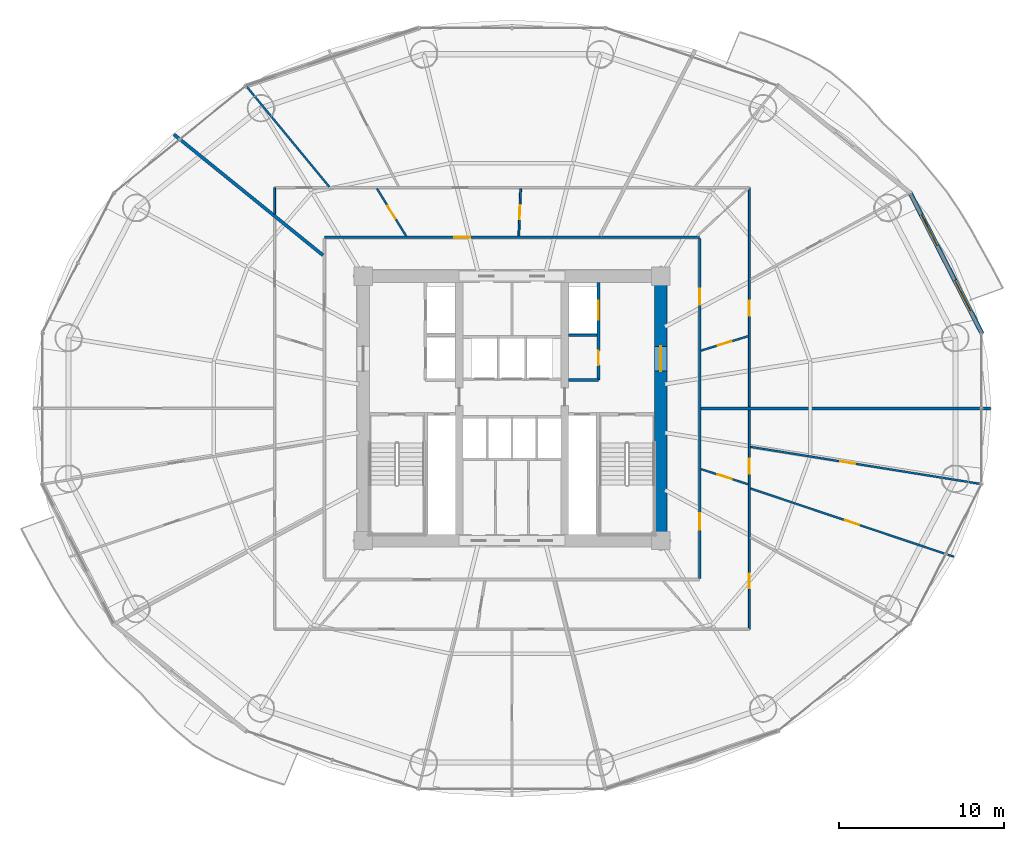
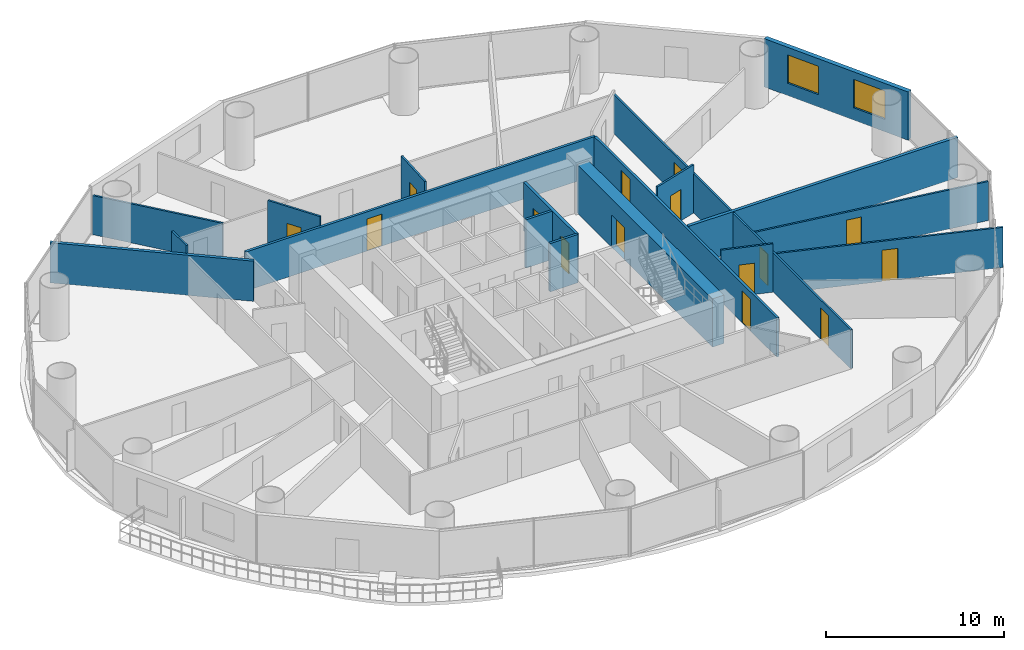
# One storey, part 24 of 29: 19 walls, 15 doors, 2 windows, 17 openings.
"""IFC4 building model written with IfcOpenShell, lengths in metres."""

from ifc_helpers import new_model, si_unit, direction, frame, frame_2d, origin, place, context, subcontext, project, spatial, rectangle, extrude, source, transform, mapped, material, layer, layer_set, type_object, element, fill, save


model = new_model("IFC4")

# Units and contexts
model_context = context("Model", 3, precision=1e-05, world=origin(), true_north=direction((-0.2419218956, 0.970295726276)))
body_context = subcontext(model_context, "Body", "Model", "MODEL_VIEW")
ifc_project = project(units=[si_unit("LENGTHUNIT", "METRE"), si_unit("AREAUNIT", "SQUARE_METRE"), si_unit("VOLUMEUNIT", "CUBIC_METRE"), si_unit("PLANEANGLEUNIT", "RADIAN"), si_unit("MASSUNIT", "GRAM", prefix="KILO")], contexts=[model_context])

# Site, building, storey
site_placement = place(None, origin())
site = spatial("IfcSite", under=ifc_project, at=site_placement, CompositionType="ELEMENT")
building_placement = place(site_placement, origin())
building = spatial("IfcBuilding", under=site, at=building_placement, Name="Cobrevalo Terracotta Tower", CompositionType="ELEMENT")
storey_placement = place(building_placement, frame((0.0, 0.0, 67.199951171875)))
storey = spatial("IfcBuildingStorey", under=building, at=storey_placement, Name="L17", CompositionType="ELEMENT", Elevation=67.199951171875)

# Wall, opening, door
ifc_material_1 = material(Name="Concrete C60", Category="concrete")
ifc_layer_1 = layer(ifc_material_1, 0.75)
ifc_layer_set_1 = layer_set([ifc_layer_1], Name="Concrete C60")
wall_type_1 = type_object("IfcWallType", Name="Core shear wall 750 mm Concrete C60", PredefinedType="SHEAR", material=ifc_layer_set_1)
wall_1_placement = place(storey_placement, frame((47.0, 19.175048828125, 0.0), z_axis=(0.0, 0.0, 1.0), x_axis=(0.0, 1.0, 0.0)))
wall_1 = element("IfcWall", 1, at=wall_1_placement, inside=storey, type_object=wall_type_1, Name="L17 east core shear wall", PredefinedType="SHEAR", context=body_context, shape_type="SweptSolid", body=[
    extrude(rectangle(XDim=15.25, YDim=0.75, at=frame_2d((7.625, 0.0))), origin(), (0.0, 0.0, 1.0), 3.320068359375),
])
opening_1_placement = place(wall_1_placement, frame((9.875, 0.0, 0.0)))
opening_1 = element("IfcOpeningElement", 2, at=opening_1_placement, cuts=wall_1, Name="Opening ID-14", PredefinedType="OPENING", context=body_context, shape_type="SweptSolid", body=[
    extrude(rectangle(XDim=1.5, YDim=2.199951171875, at=frame_2d((0.75, 1.10009765625))), frame((0.0, 0.385009765625, 0.0), z_axis=(0.0, -1.0, 0.0), x_axis=(1.0, 0.0, 0.0)), (0.0, 0.0, 1.0), 0.77001953125),
])
ifc_material_2 = material(Name="Galvanized fire-rated steel", Category="steel")
door_type_1 = type_object("IfcDoorType", Name="Core cross-lobby double fire door 1500x2200 EI 90", OperationType="NOTDEFINED", PredefinedType="DOOR", material=ifc_material_2)
shared_shape_1 = source(origin(), body_context, "Body", "SweptSolid", [
    extrude(rectangle(XDim=1.5, YDim=2.199951171875, at=frame_2d((0.75, 1.10009765625))), frame((0.0, 0.02490234375, 0.0), z_axis=(0.0, -1.0, 0.0), x_axis=(1.0, 0.0, 0.0)), (0.0, 0.0, 1.0), 0.050048828125),
])
door_1_placement = place(opening_1_placement, frame((1.5, 0.0, 0.0), z_axis=(0.0, 0.0, 1.0), x_axis=(-1.0, 0.0, 0.0)))
door_1 = element("IfcDoor", 3, at=door_1_placement, inside=storey, type_object=door_type_1, Name="L17 east firefighting lobby entrance door", OperationType="DOUBLE_DOOR_SINGLE_SWING", OverallHeight=2.199951171875, OverallWidth=1.5, PredefinedType="DOOR", context=body_context, shape_type="MappedRepresentation", body=[
    mapped(shared_shape_1, transform((0.0, 0.0, 0.0), scale=1.0)),
])
fill(opening_1, door_1)

# Walls
ifc_material_3 = material(Name="Gypsum board on steel stud", Category="steel")
ifc_layer_2 = layer(ifc_material_3, 0.159912109375)
ifc_layer_set_2 = layer_set([ifc_layer_2], Name="Gypsum board on steel stud")
wall_type_2 = type_object("IfcWallType", Name="Fire-rated corridor acoustic partition wall 160 mm", PredefinedType="PARTITIONING", material=ifc_layer_set_2)
wall_2_placement = place(storey_placement, frame((41.425048828125, 31.219970703125, 0.0), z_axis=(0.0, 0.0, 1.0), x_axis=(1.0, 0.0, 0.0)))
element("IfcWall", 4, at=wall_2_placement, inside=storey, type_object=wall_type_2, Name="L17 interior partition IW-L17-FF2-M", PredefinedType="PARTITIONING", context=body_context, shape_type="SweptSolid", body=[
    extrude(rectangle(XDim=1.71484375, YDim=0.159912109375, at=frame_2d((0.857421875, 0.0))), origin(), (0.0, 0.0, 1.0), 3.320068359375),
])
wall_3_placement = place(storey_placement, frame((41.425048828125, 28.52001953125, 0.0), z_axis=(0.0, 0.0, 1.0), x_axis=(1.0, 0.0, 0.0)))
element("IfcWall", 5, at=wall_3_placement, inside=storey, type_object=wall_type_2, Name="L17 interior partition IW-L17-FF2-S", PredefinedType="PARTITIONING", context=body_context, shape_type="SweptSolid", body=[
    extrude(rectangle(XDim=1.804931640625, YDim=0.159912109375, at=frame_2d((0.90234375, 0.0))), origin(), (0.0, 0.0, 1.0), 3.320068359375),
])

# Wall, opening, door
wall_4_placement = place(storey_placement, frame((26.64501953125, 37.155029296875, 0.0), z_axis=(0.0, 0.0, 1.0), x_axis=(1.0, 0.0, 0.0)))
wall_4 = element("IfcWall", 6, at=wall_4_placement, inside=storey, type_object=wall_type_2, Name="L17 interior partition IW-L17-COR-N", PredefinedType="PARTITIONING", context=body_context, shape_type="SweptSolid", body=[
    extrude(rectangle(XDim=22.7099609375, YDim=0.159912109375, at=frame_2d((11.35498046875, 0.0))), origin(), (0.0, 0.0, 1.0), 2.68798828125),
])
opening_2_placement = place(wall_4_placement, frame((7.859375, 0.0, 0.0)))
opening_2 = element("IfcOpeningElement", 7, at=opening_2_placement, cuts=wall_4, Name="Opening ID-05", PredefinedType="OPENING", context=body_context, shape_type="SweptSolid", body=[
    extrude(rectangle(XDim=0.97998046875, YDim=2.199951171875, at=frame_2d((0.489990234375, 1.10009765625))), frame((0.0, 0.08984375, 0.0), z_axis=(0.0, -1.0, 0.0), x_axis=(1.0, 0.0, 0.0)), (0.0, 0.0, 1.0), 0.179931640625),
])
ifc_material_4 = material(Name="Solid hardwood timber", Category="wood")
door_type_2 = type_object("IfcDoorType", Name="Residence entrance fire-rated acoustic timber door 980x2200 EI 60", OperationType="NOTDEFINED", PredefinedType="DOOR", material=ifc_material_4)
shared_shape_2 = source(origin(), body_context, "Body", "SweptSolid", [
    extrude(rectangle(XDim=0.97998046875, YDim=2.199951171875, at=frame_2d((0.489990234375, 1.10009765625))), frame((0.0, 0.02490234375, 0.0), z_axis=(0.0, -1.0, 0.0), x_axis=(1.0, 0.0, 0.0)), (0.0, 0.0, 1.0), 0.050048828125),
])
door_2_placement = place(opening_2_placement, origin())
door_2 = element("IfcDoor", 8, at=door_2_placement, inside=storey, type_object=door_type_2, Name="Flat L17B fire-rated apartment entrance door", OperationType="SINGLE_SWING_LEFT", OverallHeight=2.199951171875, OverallWidth=0.97998046875, PredefinedType="DOOR", context=body_context, shape_type="MappedRepresentation", body=[
    mapped(shared_shape_2, transform((0.0, 0.0, 0.0), scale=1.0)),
])
fill(opening_2, door_2)

# Wall, openings, doors
wall_5_placement = place(storey_placement, frame((49.35498046875, 16.52490234375, 0.0), z_axis=(0.0, 0.0, 1.0), x_axis=(0.0, 1.0, 0.0)))
wall_5 = element("IfcWall", 9, at=wall_5_placement, inside=storey, type_object=wall_type_2, Name="L17 interior partition IW-L17-COR-E", PredefinedType="PARTITIONING", context=body_context, shape_type="SweptSolid", body=[
    extrude(rectangle(XDim=20.550048828125, YDim=0.159912109375, at=frame_2d((10.27490234375, 0.0))), origin(), (0.0, 0.0, 1.0), 2.68798828125),
])
opening_3_placement = place(wall_5_placement, frame((16.537109375, 0.0, 0.0)))
opening_3 = element("IfcOpeningElement", 10, at=opening_3_placement, cuts=wall_5, Name="Opening ID-05", PredefinedType="OPENING", context=body_context, shape_type="SweptSolid", body=[
    extrude(rectangle(XDim=0.97998046875, YDim=2.199951171875, at=frame_2d((0.489990234375, 1.10009765625))), frame((0.0, 0.08984375, 0.0), z_axis=(0.0, -1.0, 0.0), x_axis=(1.0, 0.0, 0.0)), (0.0, 0.0, 1.0), 0.179931640625),
])
opening_4_placement = place(wall_5_placement, frame((2.944580078125, 0.0, 0.0)))
opening_4 = element("IfcOpeningElement", 11, at=opening_4_placement, cuts=wall_5, Name="Opening ID-05", PredefinedType="OPENING", context=body_context, shape_type="SweptSolid", body=[
    extrude(rectangle(XDim=0.97998046875, YDim=2.199951171875, at=frame_2d((0.489990234375, 1.10009765625))), frame((0.0, 0.08984375, 0.0), z_axis=(0.0, -1.0, 0.0), x_axis=(1.0, 0.0, 0.0)), (0.0, 0.0, 1.0), 0.179931640625),
])
door_3_placement = place(opening_3_placement, frame((0.97998046875, 0.0, 0.0), z_axis=(0.0, 0.0, 1.0), x_axis=(-1.0, 0.0, 0.0)))
door_3 = element("IfcDoor", 12, at=door_3_placement, inside=storey, type_object=door_type_2, Name="Flat L17A fire-rated apartment entrance door", OperationType="SINGLE_SWING_LEFT", OverallHeight=2.199951171875, OverallWidth=0.97998046875, PredefinedType="DOOR", context=body_context, shape_type="MappedRepresentation", body=[
    mapped(shared_shape_2, transform((0.0, 0.0, 0.0), scale=1.0)),
])
fill(opening_3, door_3)
door_4_placement = place(opening_4_placement, frame((0.97998046875, 0.0, 0.0), z_axis=(0.0, 0.0, 1.0), x_axis=(-1.0, 0.0, 0.0)))
door_4 = element("IfcDoor", 13, at=door_4_placement, inside=storey, type_object=door_type_2, Name="Flat L17E fire-rated apartment entrance door", OperationType="SINGLE_SWING_RIGHT", OverallHeight=2.199951171875, OverallWidth=0.97998046875, PredefinedType="DOOR", context=body_context, shape_type="MappedRepresentation", body=[
    mapped(shared_shape_2, transform((0.0, 0.0, 0.0), scale=1.0)),
])
fill(opening_4, door_4)

ifc_layer_3 = layer(ifc_material_3, 0.179931640625)
ifc_layer_set_3 = layer_set([ifc_layer_3], Name="Gypsum board on steel stud")
wall_type_3 = type_object("IfcWallType", Name="Fire-rated shaft & lobby acoustic partition wall 180 mm", PredefinedType="PARTITIONING", material=ifc_layer_set_3)
wall_6_placement = place(storey_placement, frame((43.22998046875, 28.52001953125, 0.0), z_axis=(0.0, 0.0, 1.0), x_axis=(0.0, 1.0, 0.0)))
wall_6 = element("IfcWall", 14, at=wall_6_placement, inside=storey, type_object=wall_type_3, Name="L17 interior partition IW-L17-FF2-E", PredefinedType="PARTITIONING", context=body_context, shape_type="SweptSolid", body=[
    extrude(rectangle(XDim=5.905029296875, YDim=0.179931640625, at=frame_2d((2.95263671875, 0.0))), origin(), (0.0, 0.0, 1.0), 3.320068359375),
])
opening_5_placement = place(wall_6_placement, frame((0.905029296875, 0.0, 0.0)))
opening_5 = element("IfcOpeningElement", 15, at=opening_5_placement, cuts=wall_6, Name="Opening ID-22", PredefinedType="OPENING", context=body_context, shape_type="SweptSolid", body=[
    extrude(rectangle(XDim=0.85009765625, YDim=2.10009765625, at=frame_2d((0.425048828125, 1.050048828125))), frame((0.0, 0.10009765625, 0.0), z_axis=(0.0, -1.0, 0.0), x_axis=(1.0, 0.0, 0.0)), (0.0, 0.0, 1.0), 0.199951171875),
])
opening_6_placement = place(wall_6_placement, frame((3.655029296875, 0.0, 0.0)))
opening_6 = element("IfcOpeningElement", 16, at=opening_6_placement, cuts=wall_6, Name="Opening LD-02", PredefinedType="OPENING", context=body_context, shape_type="SweptSolid", body=[
    extrude(rectangle(XDim=1.14990234375, YDim=2.199951171875, at=frame_2d((0.574951171875, 1.10009765625))), frame((0.0, 0.10009765625, 0.0), z_axis=(0.0, -1.0, 0.0), x_axis=(1.0, 0.0, 0.0)), (0.0, 0.0, 1.0), 0.199951171875),
])
ifc_material_5 = material(Name="Powder-coated steel", Category="steel")
door_type_3 = type_object("IfcDoorType", Name="Riser shaft & meter closet fire access door 850x2100 EI 60", OperationType="NOTDEFINED", PredefinedType="DOOR", material=ifc_material_5)
shared_shape_3 = source(origin(), body_context, "Body", "SweptSolid", [
    extrude(rectangle(XDim=0.85009765625, YDim=2.10009765625, at=frame_2d((0.425048828125, 1.050048828125))), frame((0.0, 0.02490234375, 0.0), z_axis=(0.0, -1.0, 0.0), x_axis=(1.0, 0.0, 0.0)), (0.0, 0.0, 1.0), 0.050048828125),
])
door_5_placement = place(opening_5_placement, frame((0.85009765625, 0.0, 0.0), z_axis=(0.0, 0.0, 1.0), x_axis=(-1.0, 0.0, 0.0)))
door_5 = element("IfcDoor", 17, at=door_5_placement, inside=storey, type_object=door_type_3, Name="L17 housekeeping store door", OperationType="SINGLE_SWING_RIGHT", OverallHeight=2.10009765625, OverallWidth=0.85009765625, PredefinedType="DOOR", context=body_context, shape_type="MappedRepresentation", body=[
    mapped(shared_shape_3, transform((0.0, 0.0, 0.0), scale=1.0)),
])
fill(opening_5, door_5)
ifc_material_6 = material(Name="Brushed stainless steel", Category="steel")
door_type_4 = type_object("IfcDoorType", Name="Firefighting lift landing bi-parting sliding door 1150x2200 EI 120", OperationType="DOUBLE_DOOR_SLIDING", PredefinedType="DOOR", material=ifc_material_6)
shared_shape_4 = source(origin(), body_context, "Body", "SweptSolid", [
    extrude(rectangle(XDim=1.14990234375, YDim=2.199951171875, at=frame_2d((0.574951171875, 1.10009765625))), frame((0.0, 0.02490234375, 0.0), z_axis=(0.0, -1.0, 0.0), x_axis=(1.0, 0.0, 0.0)), (0.0, 0.0, 1.0), 0.050048828125),
])
door_6_placement = place(opening_6_placement, origin())
door_6 = element("IfcDoor", 18, at=door_6_placement, inside=storey, type_object=door_type_4, Name="L17 lift landing door FF-2", OperationType="DOUBLE_DOOR_SLIDING", OverallHeight=2.199951171875, OverallWidth=1.14990234375, PredefinedType="DOOR", context=body_context, shape_type="MappedRepresentation", body=[
    mapped(shared_shape_4, transform((0.0, 0.0, 0.0), scale=1.0)),
])
fill(opening_6, door_6)

# Walls
ifc_material_7 = material(Name="Autoclaved aerated concrete block", Category="concrete")
ifc_layer_4 = layer(ifc_material_7, 0.199951171875)
ifc_layer_set_4 = layer_set([ifc_layer_4], Name="Autoclaved aerated concrete block")
wall_type_4 = type_object("IfcWallType", Name="Fire-rated stair, shaft & demising masonry wall 200 mm", PredefinedType="PARTITIONING", material=ifc_layer_set_4)
wall_7_placement = place(storey_placement, frame((49.43505859375, 26.800048828125, 0.0), z_axis=(0.0, 0.0, 1.0), x_axis=(1.0, 0.0, 0.0)))
element("IfcWall", 19, at=wall_7_placement, inside=storey, type_object=wall_type_4, Name="L17 interior partition IW-L17-DEM-1", PredefinedType="PARTITIONING", context=body_context, shape_type="SweptSolid", body=[
    extrude(rectangle(XDim=17.5048828125, YDim=0.199951171875, at=frame_2d((8.75244140625, 0.0))), origin(), (0.0, 0.0, 1.0), 2.761962890625),
])
wall_8_placement = place(storey_placement, frame((26.56494140625, 36.06640625, 0.0), z_axis=(0.0, 0.0, 1.0), x_axis=(-0.77693672952, 0.629578683186, 0.0)))
element("IfcWall", 20, at=wall_8_placement, inside=storey, type_object=wall_type_4, Name="L17 interior partition IW-L17-DEM-3", PredefinedType="PARTITIONING", context=body_context, shape_type="SweptSolid", body=[
    extrude(rectangle(XDim=11.609130859375, YDim=0.199951171875, at=frame_2d((5.8046875, 0.0))), origin(), (0.0, 0.0, 1.0), 2.761962890625),
])

# Wall, openings, windows
ifc_layer_5 = layer(ifc_material_7, 0.280029296875)
ifc_layer_set_5 = layer_set([ifc_layer_5], Name="Autoclaved aerated concrete block")
wall_type_5 = type_object("IfcWallType", Name="Insulated tower spandrel & pier wall 280 mm with terracotta rainscreen", PredefinedType="SOLIDWALL", material=ifc_layer_set_5)
wall_9_placement = place(storey_placement, frame((66.44970703125, 31.3076171875, 0.0), z_axis=(0.0, 0.0, 1.0), x_axis=(-0.45523081716, 0.890373462715, 0.0)))
wall_9 = element("IfcWall", 21, at=wall_9_placement, inside=storey, type_object=wall_type_5, Name="L17 terracotta rainscreen pier wall S01", PredefinedType="SOLIDWALL", context=body_context, shape_type="SweptSolid", body=[
    extrude(rectangle(XDim=9.662109375, YDim=0.280029296875, at=frame_2d((4.8310546875, 0.0))), origin(), (0.0, 0.0, 1.0), 3.320068359375),
])
opening_7_placement = place(wall_9_placement, frame((1.558837890625, 0.0, 0.85009765625)))
opening_7 = element("IfcOpeningElement", 22, at=opening_7_placement, cuts=wall_9, Name="Opening WN-10", PredefinedType="OPENING", context=body_context, shape_type="SweptSolid", body=[
    extrude(rectangle(XDim=2.10009765625, YDim=1.949951171875, at=frame_2d((1.050048828125, 0.97509765625))), frame((0.0, 0.14990234375, 0.0), z_axis=(0.0, -1.0, 0.0), x_axis=(1.0, 0.0, 0.0)), (0.0, 0.0, 1.0), 0.300048828125),
])
opening_8_placement = place(wall_9_placement, frame((6.00341796875, 0.0, 0.85009765625)))
opening_8 = element("IfcOpeningElement", 23, at=opening_8_placement, cuts=wall_9, Name="Opening WN-10", PredefinedType="OPENING", context=body_context, shape_type="SweptSolid", body=[
    extrude(rectangle(XDim=2.10009765625, YDim=1.949951171875, at=frame_2d((1.050048828125, 0.97509765625))), frame((0.0, 0.14990234375, 0.0), z_axis=(0.0, -1.0, 0.0), x_axis=(1.0, 0.0, 0.0)), (0.0, 0.0, 1.0), 0.300048828125),
])
ifc_material_8 = material(Name="Solar-control low-E double glazing", Category="glass")
window_type = type_object("IfcWindowType", Name="Wide panoramic low-E aluminium window 2100x1950", PartitioningType="SINGLE_PANEL", PredefinedType="WINDOW", material=ifc_material_8)
shared_shape_5 = source(origin(), body_context, "Body", "SweptSolid", [
    extrude(rectangle(XDim=2.10009765625, YDim=1.949951171875, at=frame_2d((1.050048828125, 0.97509765625))), frame((0.0, 0.030029296875, 0.0), z_axis=(0.0, -1.0, 0.0), x_axis=(1.0, 0.0, 0.0)), (0.0, 0.0, 1.0), 0.06005859375),
])
window_1_placement = place(opening_7_placement, origin())
window_1 = element("IfcWindow", 24, at=window_1_placement, inside=storey, type_object=window_type, Name="L17 suite window S01A", OverallHeight=1.949951171875, OverallWidth=2.10009765625, PartitioningType="SINGLE_PANEL", PredefinedType="WINDOW", context=body_context, shape_type="MappedRepresentation", body=[
    mapped(shared_shape_5, transform((0.0, 0.0, 0.0), scale=1.0)),
])
fill(opening_7, window_1)
window_2_placement = place(opening_8_placement, origin())
window_2 = element("IfcWindow", 25, at=window_2_placement, inside=storey, type_object=window_type, Name="L17 suite window S01B", OverallHeight=1.949951171875, OverallWidth=2.10009765625, PartitioningType="SINGLE_PANEL", PredefinedType="WINDOW", context=body_context, shape_type="MappedRepresentation", body=[
    mapped(shared_shape_5, transform((0.0, 0.0, 0.0), scale=1.0)),
])
fill(opening_8, window_2)

# Wall, opening, door
ifc_layer_6 = layer(ifc_material_3, 0.1201171875)
ifc_layer_set_6 = layer_set([ifc_layer_6], Name="Gypsum board on steel stud")
wall_type_6 = type_object("IfcWallType", Name="Residential internal acoustic stud partition 120 mm", PredefinedType="PARTITIONING", material=ifc_layer_set_6)
wall_10_placement = place(storey_placement, frame((52.35498046875, 40.155029296875, 0.0), z_axis=(0.0, 0.0, 1.0), x_axis=(0.0, -1.0, 0.0)))
wall_10 = element("IfcWall", 26, at=wall_10_placement, inside=storey, type_object=wall_type_6, Name="L17 interior partition IW-L17-U1-RING1_0", PredefinedType="PARTITIONING", context=body_context, shape_type="SweptSolid", body=[
    extrude(rectangle(XDim=13.2529296875, YDim=0.1201171875, at=frame_2d((6.62646484375, 0.0))), origin(), (0.0, 0.0, 1.0), 2.68798828125),
])
opening_9_placement = place(wall_10_placement, frame((6.8525390625, 0.0, 0.0)))
opening_9 = element("IfcOpeningElement", 27, at=opening_9_placement, cuts=wall_10, Name="Opening ID-12", PredefinedType="OPENING", context=body_context, shape_type="SweptSolid", body=[
    extrude(rectangle(XDim=0.89990234375, YDim=2.14990234375, at=frame_2d((0.449951171875, 1.074951171875))), frame((0.0, 0.070068359375, 0.0), z_axis=(0.0, -1.0, 0.0), x_axis=(1.0, 0.0, 0.0)), (0.0, 0.0, 1.0), 0.14013671875),
])
ifc_material_9 = material(Name="Engineered timber", Category="wood")
door_type_5 = type_object("IfcDoorType", Name="Internal residence & suite timber door 900x2150", OperationType="NOTDEFINED", PredefinedType="DOOR", material=ifc_material_9)
shared_shape_6 = source(origin(), body_context, "Body", "SweptSolid", [
    extrude(rectangle(XDim=0.89990234375, YDim=2.14990234375, at=frame_2d((0.449951171875, 1.074951171875))), frame((0.0, 0.02490234375, 0.0), z_axis=(0.0, -1.0, 0.0), x_axis=(1.0, 0.0, 0.0)), (0.0, 0.0, 1.0), 0.050048828125),
])
door_7_placement = place(opening_9_placement, origin())
door_7 = element("IfcDoor", 28, at=door_7_placement, inside=storey, type_object=door_type_5, Name="Flat L17A Penthouse Living and Dining Room internal door", OperationType="SINGLE_SWING_LEFT", OverallHeight=2.14990234375, OverallWidth=0.89990234375, PredefinedType="DOOR", context=body_context, shape_type="MappedRepresentation", body=[
    mapped(shared_shape_6, transform((0.0, 0.0, 0.0), scale=1.0)),
])
fill(opening_9, door_7)

wall_11_placement = place(storey_placement, frame((49.43505859375, 30.29736328125, 0.0), z_axis=(0.0, 0.0, 1.0), x_axis=(0.956264731785, 0.292502585877, 0.0)))
wall_11 = element("IfcWall", 29, at=wall_11_placement, inside=storey, type_object=wall_type_6, Name="L17 interior partition IW-L17-U1-IRAD1", PredefinedType="PARTITIONING", context=body_context, shape_type="SweptSolid", body=[
    extrude(rectangle(XDim=2.991455078125, YDim=0.1201171875, at=frame_2d((1.49560546875, 0.0))), origin(), (0.0, 0.0, 1.0), 3.320068359375),
])
opening_10_placement = place(wall_11_placement, frame((1.06591796875, 0.0, 0.0)))
opening_10 = element("IfcOpeningElement", 30, at=opening_10_placement, cuts=wall_11, Name="Opening ID-19", PredefinedType="OPENING", context=body_context, shape_type="SweptSolid", body=[
    extrude(rectangle(XDim=0.860107421875, YDim=2.14990234375, at=frame_2d((0.43017578125, 1.074951171875))), frame((0.0, 0.070068359375, 0.0), z_axis=(0.0, -1.0, 0.0), x_axis=(1.0, 0.0, 0.0)), (0.0, 0.0, 1.0), 0.14013671875),
])
ifc_material_10 = material(Name="Moisture-sealed timber", Category="wood")
door_type_6 = type_object("IfcDoorType", Name="Suite bathroom internal timber door 860x2150", OperationType="NOTDEFINED", PredefinedType="DOOR", material=ifc_material_10)
shared_shape_7 = source(origin(), body_context, "Body", "SweptSolid", [
    extrude(rectangle(XDim=0.860107421875, YDim=2.14990234375, at=frame_2d((0.43017578125, 1.074951171875))), frame((0.0, 0.02490234375, 0.0), z_axis=(0.0, -1.0, 0.0), x_axis=(1.0, 0.0, 0.0)), (0.0, 0.0, 1.0), 0.050048828125),
])
door_8_placement = place(opening_10_placement, frame((0.860107421875, 0.0, 0.0), z_axis=(0.0, 0.0, 1.0), x_axis=(-1.0, 0.0, 0.0)))
door_8 = element("IfcDoor", 31, at=door_8_placement, inside=storey, type_object=door_type_6, Name="Flat L17A Primary Bathroom internal door", OperationType="SINGLE_SWING_RIGHT", OverallHeight=2.14990234375, OverallWidth=0.860107421875, PredefinedType="DOOR", context=body_context, shape_type="MappedRepresentation", body=[
    mapped(shared_shape_7, transform((0.0, 0.0, 0.0), scale=1.0)),
])
fill(opening_10, door_8)

# Walls
wall_12_placement = place(storey_placement, frame((23.64501953125, 38.534423828125, 0.0), z_axis=(0.0, 0.0, 1.0), x_axis=(0.0, 1.0, 0.0)))
element("IfcWall", 32, at=wall_12_placement, inside=storey, type_object=wall_type_6, Name="L17 interior partition IW-L17-U2-RING0_0", PredefinedType="PARTITIONING", context=body_context, shape_type="SweptSolid", body=[
    extrude(rectangle(XDim=1.62060546875, YDim=0.1201171875, at=frame_2d((0.810302734375, 0.0))), origin(), (0.0, 0.0, 1.0), 3.320068359375),
])
wall_13_placement = place(storey_placement, frame((26.948486328125, 40.202880859375, 0.0), z_axis=(0.0, 0.0, 1.0), x_axis=(-0.636191994442, 0.771530781115, 0.0)))
element("IfcWall", 33, at=wall_13_placement, inside=storey, type_object=wall_type_6, Name="L17 interior partition IW-L17-U2-ORAD2M1", PredefinedType="PARTITIONING", context=body_context, shape_type="SweptSolid", body=[
    extrude(rectangle(XDim=7.836181640625, YDim=0.1201171875, at=frame_2d((3.91796875, 0.0))), origin(), (0.0, 0.0, 1.0), 2.68798828125),
])

# Wall, opening, door
wall_14_placement = place(storey_placement, frame((38.40966796875, 37.237060546875, 0.0), z_axis=(0.0, 0.0, 1.0), x_axis=(0.039292593948, 0.999227747844, 0.0)))
wall_14 = element("IfcWall", 34, at=wall_14_placement, inside=storey, type_object=wall_type_6, Name="L17 interior partition IW-L17-U2-IRAD1", PredefinedType="PARTITIONING", context=body_context, shape_type="SweptSolid", body=[
    extrude(rectangle(XDim=2.858154296875, YDim=0.1201171875, at=frame_2d((1.42919921875, 0.0))), origin(), (0.0, 0.0, 1.0), 3.320068359375),
])
opening_11_placement = place(wall_14_placement, frame((0.9990234375, 0.0, 0.0)))
opening_11 = element("IfcOpeningElement", 35, at=opening_11_placement, cuts=wall_14, Name="Opening ID-19", PredefinedType="OPENING", context=body_context, shape_type="SweptSolid", body=[
    extrude(rectangle(XDim=0.860107421875, YDim=2.14990234375, at=frame_2d((0.43017578125, 1.074951171875))), frame((0.0, 0.070068359375, 0.0), z_axis=(0.0, -1.0, 0.0), x_axis=(1.0, 0.0, 0.0)), (0.0, 0.0, 1.0), 0.14013671875),
])
door_9_placement = place(opening_11_placement, frame((0.860107421875, 0.0, 0.0), z_axis=(0.0, 0.0, 1.0), x_axis=(-1.0, 0.0, 0.0)))
door_9 = element("IfcDoor", 36, at=door_9_placement, inside=storey, type_object=door_type_6, Name="Flat L17B Primary Bathroom internal door", OperationType="SINGLE_SWING_RIGHT", OverallHeight=2.14990234375, OverallWidth=0.860107421875, PredefinedType="DOOR", context=body_context, shape_type="MappedRepresentation", body=[
    mapped(shared_shape_7, transform((0.0, 0.0, 0.0), scale=1.0)),
])
fill(opening_11, door_9)

wall_15_placement = place(storey_placement, frame((31.58935546875, 37.23681640625, 0.0), z_axis=(0.0, 0.0, 1.0), x_axis=(-0.523404550994, 0.852084312729, 0.0)))
wall_15 = element("IfcWall", 37, at=wall_15_placement, inside=storey, type_object=wall_type_6, Name="L17 interior partition IW-L17-U2-IRAD2", PredefinedType="PARTITIONING", context=body_context, shape_type="SweptSolid", body=[
    extrude(rectangle(XDim=3.362548828125, YDim=0.1201171875, at=frame_2d((1.68115234375, 0.0))), origin(), (0.0, 0.0, 1.0), 3.320068359375),
])
opening_12_placement = place(wall_15_placement, frame((1.2314453125, 0.0, 0.0)))
opening_12 = element("IfcOpeningElement", 38, at=opening_12_placement, cuts=wall_15, Name="Opening ID-12", PredefinedType="OPENING", context=body_context, shape_type="SweptSolid", body=[
    extrude(rectangle(XDim=0.89990234375, YDim=2.14990234375, at=frame_2d((0.449951171875, 1.074951171875))), frame((0.0, 0.070068359375, 0.0), z_axis=(0.0, -1.0, 0.0), x_axis=(1.0, 0.0, 0.0)), (0.0, 0.0, 1.0), 0.14013671875),
])
door_10_placement = place(opening_12_placement, origin())
door_10 = element("IfcDoor", 39, at=door_10_placement, inside=storey, type_object=door_type_5, Name="Flat L17B Kitchen internal door", OperationType="SINGLE_SWING_RIGHT", OverallHeight=2.14990234375, OverallWidth=0.89990234375, PredefinedType="DOOR", context=body_context, shape_type="MappedRepresentation", body=[
    mapped(shared_shape_6, transform((0.0, 0.0, 0.0), scale=1.0)),
])
fill(opening_12, door_10)

# Wall, openings, doors
wall_16_placement = place(storey_placement, frame((52.35498046875, 26.697998046875, 0.0), z_axis=(0.0, 0.0, 1.0), x_axis=(0.0, -1.0, 0.0)))
wall_16 = element("IfcWall", 40, at=wall_16_placement, inside=storey, type_object=wall_type_6, Name="L17 interior partition IW-L17-U5-RING0_0", PredefinedType="PARTITIONING", context=body_context, shape_type="SweptSolid", body=[
    extrude(rectangle(XDim=13.2529296875, YDim=0.1201171875, at=frame_2d((6.62646484375, 0.0))), origin(), (0.0, 0.0, 1.0), 2.68798828125),
])
opening_13_placement = place(wall_16_placement, frame((9.891845703125, 0.0, 0.0)))
opening_13 = element("IfcOpeningElement", 41, at=opening_13_placement, cuts=wall_16, Name="Opening ID-12", PredefinedType="OPENING", context=body_context, shape_type="SweptSolid", body=[
    extrude(rectangle(XDim=0.89990234375, YDim=2.14990234375, at=frame_2d((0.449951171875, 1.074951171875))), frame((0.0, 0.070068359375, 0.0), z_axis=(0.0, -1.0, 0.0), x_axis=(1.0, 0.0, 0.0)), (0.0, 0.0, 1.0), 0.14013671875),
])
opening_14_placement = place(wall_16_placement, frame((2.951171875, 0.0, 0.0)))
opening_14 = element("IfcOpeningElement", 42, at=opening_14_placement, cuts=wall_16, Name="Opening ID-12", PredefinedType="OPENING", context=body_context, shape_type="SweptSolid", body=[
    extrude(rectangle(XDim=0.89990234375, YDim=2.14990234375, at=frame_2d((0.449951171875, 1.074951171875))), frame((0.0, 0.070068359375, 0.0), z_axis=(0.0, -1.0, 0.0), x_axis=(1.0, 0.0, 0.0)), (0.0, 0.0, 1.0), 0.14013671875),
])
door_11_placement = place(opening_13_placement, frame((0.89990234375, 0.0, 0.0), z_axis=(0.0, 0.0, 1.0), x_axis=(-1.0, 0.0, 0.0)))
door_11 = element("IfcDoor", 43, at=door_11_placement, inside=storey, type_object=door_type_5, Name="Flat L17E Penthouse Living and Dining Room internal door", OperationType="SINGLE_SWING_RIGHT", OverallHeight=2.14990234375, OverallWidth=0.89990234375, PredefinedType="DOOR", context=body_context, shape_type="MappedRepresentation", body=[
    mapped(shared_shape_6, transform((0.0, 0.0, 0.0), scale=1.0)),
])
fill(opening_13, door_11)
door_12_placement = place(opening_14_placement, origin())
door_12 = element("IfcDoor", 44, at=door_12_placement, inside=storey, type_object=door_type_5, Name="Flat L17E Penthouse Family Lounge internal door", OperationType="SINGLE_SWING_RIGHT", OverallHeight=2.14990234375, OverallWidth=0.89990234375, PredefinedType="DOOR", context=body_context, shape_type="MappedRepresentation", body=[
    mapped(shared_shape_6, transform((0.0, 0.0, 0.0), scale=1.0)),
])
fill(opening_14, door_12)

# Wall, opening, door
wall_17_placement = place(storey_placement, frame((52.413818359375, 21.9619140625, 0.0), z_axis=(0.0, 0.0, 1.0), x_axis=(0.948021751459, -0.318205529118, 0.0)))
wall_17 = element("IfcWall", 45, at=wall_17_placement, inside=storey, type_object=wall_type_6, Name="L17 interior partition IW-L17-U5-ORAD2M1", PredefinedType="PARTITIONING", context=body_context, shape_type="SweptSolid", body=[
    extrude(rectangle(XDim=12.993896484375, YDim=0.1201171875, at=frame_2d((6.4970703125, 0.0))), origin(), (0.0, 0.0, 1.0), 2.761962890625),
])
opening_15_placement = place(wall_17_placement, frame((6.047119140625, 0.0, 0.0)))
opening_15 = element("IfcOpeningElement", 46, at=opening_15_placement, cuts=wall_17, Name="Opening ID-12", PredefinedType="OPENING", context=body_context, shape_type="SweptSolid", body=[
    extrude(rectangle(XDim=0.89990234375, YDim=2.14990234375, at=frame_2d((0.449951171875, 1.074951171875))), frame((0.0, 0.070068359375, 0.0), z_axis=(0.0, -1.0, 0.0), x_axis=(1.0, 0.0, 0.0)), (0.0, 0.0, 1.0), 0.14013671875),
])
door_13_placement = place(opening_15_placement, frame((0.89990234375, 0.0, 0.0), z_axis=(0.0, 0.0, 1.0), x_axis=(-1.0, 0.0, 0.0)))
door_13 = element("IfcDoor", 47, at=door_13_placement, inside=storey, type_object=door_type_5, Name="Flat L17E Master Bedroom internal door", OperationType="SINGLE_SWING_RIGHT", OverallHeight=2.14990234375, OverallWidth=0.89990234375, PredefinedType="DOOR", context=body_context, shape_type="MappedRepresentation", body=[
    mapped(shared_shape_6, transform((0.0, 0.0, 0.0), scale=1.0)),
])
fill(opening_15, door_13)

wall_18_placement = place(storey_placement, frame((52.416259765625, 24.476318359375, 0.0), z_axis=(0.0, 0.0, 1.0), x_axis=(0.987257727093, -0.159129445092, 0.0)))
wall_18 = element("IfcWall", 48, at=wall_18_placement, inside=storey, type_object=wall_type_6, Name="L17 interior partition IW-L17-U5-ORAD2M2", PredefinedType="PARTITIONING", context=body_context, shape_type="SweptSolid", body=[
    extrude(rectangle(XDim=14.085693359375, YDim=0.1201171875, at=frame_2d((7.04296875, 0.0))), origin(), (0.0, 0.0, 1.0), 2.68798828125),
])
opening_16_placement = place(wall_18_placement, frame((5.522216796875, 0.0, 0.0)))
opening_16 = element("IfcOpeningElement", 49, at=opening_16_placement, cuts=wall_18, Name="Opening ID-12", PredefinedType="OPENING", context=body_context, shape_type="SweptSolid", body=[
    extrude(rectangle(XDim=0.89990234375, YDim=2.14990234375, at=frame_2d((0.449951171875, 1.074951171875))), frame((0.0, 0.070068359375, 0.0), z_axis=(0.0, -1.0, 0.0), x_axis=(1.0, 0.0, 0.0)), (0.0, 0.0, 1.0), 0.14013671875),
])
door_14_placement = place(opening_16_placement, origin())
door_14 = element("IfcDoor", 50, at=door_14_placement, inside=storey, type_object=door_type_5, Name="Flat L17E Penthouse Family Lounge internal door", OperationType="SINGLE_SWING_LEFT", OverallHeight=2.14990234375, OverallWidth=0.89990234375, PredefinedType="DOOR", context=body_context, shape_type="MappedRepresentation", body=[
    mapped(shared_shape_6, transform((0.0, 0.0, 0.0), scale=1.0)),
])
fill(opening_16, door_14)

wall_19_placement = place(storey_placement, frame((49.43505859375, 23.1259765625, 0.0), z_axis=(0.0, 0.0, 1.0), x_axis=(0.952040395248, -0.305972361197, 0.0)))
wall_19 = element("IfcWall", 51, at=wall_19_placement, inside=storey, type_object=wall_type_6, Name="L17 interior partition IW-L17-U5-IRAD2", PredefinedType="PARTITIONING", context=body_context, shape_type="SweptSolid", body=[
    extrude(rectangle(XDim=3.0048828125, YDim=0.1201171875, at=frame_2d((1.50244140625, 0.0))), origin(), (0.0, 0.0, 1.0), 3.320068359375),
])
opening_17_placement = place(wall_19_placement, frame((1.052490234375, 0.0, 0.0)))
opening_17 = element("IfcOpeningElement", 52, at=opening_17_placement, cuts=wall_19, Name="Opening ID-12", PredefinedType="OPENING", context=body_context, shape_type="SweptSolid", body=[
    extrude(rectangle(XDim=0.89990234375, YDim=2.14990234375, at=frame_2d((0.449951171875, 1.074951171875))), frame((0.0, 0.070068359375, 0.0), z_axis=(0.0, -1.0, 0.0), x_axis=(1.0, 0.0, 0.0)), (0.0, 0.0, 1.0), 0.14013671875),
])
door_15_placement = place(opening_17_placement, origin())
door_15 = element("IfcDoor", 53, at=door_15_placement, inside=storey, type_object=door_type_5, Name="Flat L17E Kitchen internal door", OperationType="SINGLE_SWING_LEFT", OverallHeight=2.14990234375, OverallWidth=0.89990234375, PredefinedType="DOOR", context=body_context, shape_type="MappedRepresentation", body=[
    mapped(shared_shape_6, transform((0.0, 0.0, 0.0), scale=1.0)),
])
fill(opening_17, door_15)

save(model, "model.ifc")
